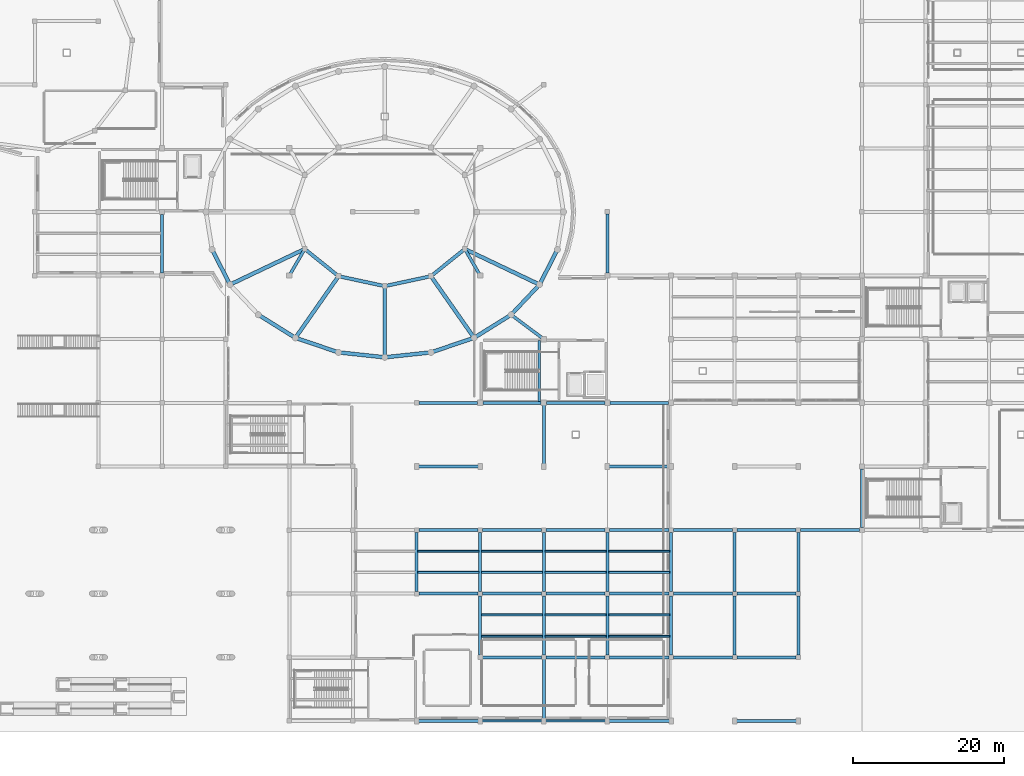
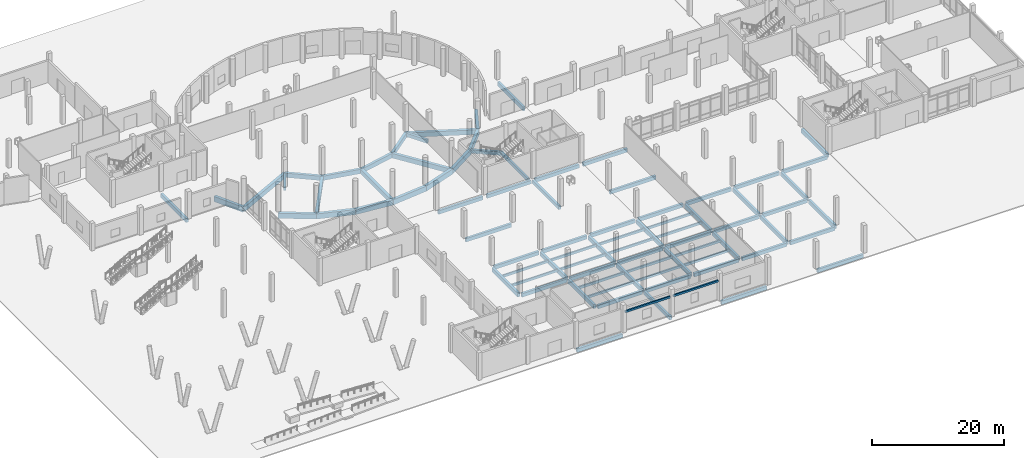
# One storey, part 6 of 64: 83 beams.
"""IFC4 building model written with IfcOpenShell, lengths in metres."""

from ifc_helpers import new_model, si_unit, derived_unit, direction, frame, origin, origin_2d, place, context, subcontext, project, spatial, rectangle, extrude, material, material_profile, profile_set, type_object, element, save


model = new_model("IFC4")

# Units and contexts
model_context = context("Model", 3, precision=1e-05, world=origin(), true_north=direction((0.0, 1.0)))
body_context = subcontext(model_context, "Body", "Model", "MODEL_VIEW")
ifc_project = project(units=[si_unit("LENGTHUNIT", "METRE"), si_unit("AREAUNIT", "SQUARE_METRE"), si_unit("VOLUMEUNIT", "CUBIC_METRE"), si_unit("PLANEANGLEUNIT", "RADIAN"), si_unit("MASSUNIT", "GRAM", prefix="KILO"), derived_unit("THERMALTRANSMITTANCEUNIT", [(si_unit("POWERUNIT", "WATT"), 1), (si_unit("LENGTHUNIT", "METRE"), -2), (si_unit("THERMODYNAMICTEMPERATUREUNIT", "KELVIN"), -1)])], contexts=[model_context])

# Site, building, storey
site_placement = place(None, origin())
site = spatial("IfcSite", under=ifc_project, at=site_placement, CompositionType="ELEMENT")
building_placement = place(site_placement, origin())
building = spatial("IfcBuilding", under=site, at=building_placement, Name="Elbkamm Science Centre", CompositionType="ELEMENT")
storey_placement = place(building_placement, origin())
storey = spatial("IfcBuildingStorey", under=building, at=storey_placement, Name="L00", CompositionType="ELEMENT", Elevation=0.0)

# Beams
ifc_material = material(Name="Concrete C40/50", Category="concrete")
ifc_material_profile_1 = material_profile(ifc_material, rectangle(XDim=0.35009765625, YDim=0.60009765625, at=origin_2d()), Name="RC 350x600")
ifc_profile_set_1 = profile_set([ifc_material_profile_1], Name="Concrete C40/50")
beam_type_1 = type_object("IfcBeamType", Name="BM-RC-350x600", PredefinedType="BEAM", material=ifc_profile_set_1)
beam_1_placement = place(storey_placement, frame((83.3798828125, 42.14990234375, -0.300048828125), z_axis=(0.0, 1.0, 0.0), x_axis=(-1.0, 0.0, 0.0)))
element("IfcBeam", 1, at=beam_1_placement, inside=storey, type_object=beam_type_1, Name="L00 ST-C2 Landing Trimmer Beam", PredefinedType="BEAM", context=body_context, shape_type="SweptSolid", body=[
    extrude(rectangle(XDim=0.35009765625, YDim=0.60009765625, at=origin_2d()), origin(), (0.0, 0.0, 1.0), 8.10009765625),
])
ifc_material_profile_2 = material_profile(ifc_material, rectangle(XDim=0.39990234375, YDim=0.64990234375, at=origin_2d()), Name="RC 400x650")
ifc_profile_set_2 = profile_set([ifc_material_profile_2], Name="Concrete C40/50")
beam_type_2 = type_object("IfcBeamType", Name="BM-RC-400x650", PredefinedType="BEAM", material=ifc_profile_set_2)
for number, where, z_axis, x_axis, name in (
    (2, (75.89990234375, 8.39990234375, -0.625), (1.0, 0.0, 0.0), (0.0, 1.0, 0.0), "L00 Primary X-Girder 003"),
    (3, (84.300048828125, 8.39990234375, -0.625), (1.0, 0.0, 0.0), (0.0, 1.0, 0.0), "L00 Primary X-Girder 004"),
    (4, (92.699951171875, 8.39990234375, -0.625), (1.0, 0.0, 0.0), (0.0, 1.0, 0.0), "L00 Primary X-Girder 005"),
):
    element("IfcBeam", number, at=place(storey_placement, frame(where, z_axis=z_axis, x_axis=x_axis)), inside=storey, type_object=beam_type_2, Name=name, PredefinedType="BEAM", context=body_context, shape_type="SweptSolid", body=[
        extrude(rectangle(XDim=0.39990234375, YDim=0.64990234375, at=origin_2d()), origin(), (0.0, 0.0, 1.0), 7.800048828125),
    ])
beam_2_placement = place(storey_placement, frame((101.10009765625, 8.39990234375, -0.625), z_axis=(1.0, 0.0, 0.0), x_axis=(0.0, 1.0, 0.0)))
element("IfcBeam", 5, at=beam_2_placement, inside=storey, type_object=beam_type_2, Name="L00 Primary X-Girder 006", PredefinedType="BEAM", context=body_context, shape_type="SweptSolid", body=[
    extrude(rectangle(XDim=0.39990234375, YDim=0.64990234375, at=origin_2d()), origin(), (0.0, 0.0, 1.0), 7.7998046875),
])
for number, where, z_axis, x_axis, name in (
    (6, (109.5, 8.39990234375, -0.625), (1.0, 0.0, 0.0), (0.0, 1.0, 0.0), "L00 Primary X-Girder 007"),
    (7, (67.5, 16.800048828125, -0.625), (1.0, 0.0, 0.0), (0.0, 1.0, 0.0), "L00 Primary X-Girder 010"),
    (8, (75.89990234375, 16.800048828125, -0.625), (1.0, 0.0, 0.0), (0.0, 1.0, 0.0), "L00 Primary X-Girder 011"),
    (9, (84.300048828125, 16.800048828125, -0.625), (1.0, 0.0, 0.0), (0.0, 1.0, 0.0), "L00 Primary X-Girder 012"),
    (10, (92.699951171875, 16.800048828125, -0.625), (1.0, 0.0, 0.0), (0.0, 1.0, 0.0), "L00 Primary X-Girder 013"),
):
    element("IfcBeam", number, at=place(storey_placement, frame(where, z_axis=z_axis, x_axis=x_axis)), inside=storey, type_object=beam_type_2, Name=name, PredefinedType="BEAM", context=body_context, shape_type="SweptSolid", body=[
        extrude(rectangle(XDim=0.39990234375, YDim=0.64990234375, at=origin_2d()), origin(), (0.0, 0.0, 1.0), 7.800048828125),
    ])
beam_3_placement = place(storey_placement, frame((101.10009765625, 16.800048828125, -0.625), z_axis=(1.0, 0.0, 0.0), x_axis=(0.0, 1.0, 0.0)))
element("IfcBeam", 11, at=beam_3_placement, inside=storey, type_object=beam_type_2, Name="L00 Primary X-Girder 014", PredefinedType="BEAM", context=body_context, shape_type="SweptSolid", body=[
    extrude(rectangle(XDim=0.39990234375, YDim=0.64990234375, at=origin_2d()), origin(), (0.0, 0.0, 1.0), 7.7998046875),
])
for number, where, z_axis, x_axis, name in (
    (12, (109.5, 16.800048828125, -0.625), (1.0, 0.0, 0.0), (0.0, 1.0, 0.0), "L00 Primary X-Girder 015"),
    (13, (67.5, 25.199951171875, -0.625), (1.0, 0.0, 0.0), (0.0, 1.0, 0.0), "L00 Primary X-Girder 018"),
    (14, (75.89990234375, 25.199951171875, -0.625), (1.0, 0.0, 0.0), (0.0, 1.0, 0.0), "L00 Primary X-Girder 019"),
    (15, (84.300048828125, 25.199951171875, -0.625), (1.0, 0.0, 0.0), (0.0, 1.0, 0.0), "L00 Primary X-Girder 020"),
    (16, (92.699951171875, 25.199951171875, -0.625), (1.0, 0.0, 0.0), (0.0, 1.0, 0.0), "L00 Primary X-Girder 021"),
):
    element("IfcBeam", number, at=place(storey_placement, frame(where, z_axis=z_axis, x_axis=x_axis)), inside=storey, type_object=beam_type_2, Name=name, PredefinedType="BEAM", context=body_context, shape_type="SweptSolid", body=[
        extrude(rectangle(XDim=0.39990234375, YDim=0.64990234375, at=origin_2d()), origin(), (0.0, 0.0, 1.0), 7.800048828125),
    ])
beam_4_placement = place(storey_placement, frame((101.10009765625, 25.199951171875, -0.625), z_axis=(1.0, 0.0, 0.0), x_axis=(0.0, 1.0, 0.0)))
element("IfcBeam", 17, at=beam_4_placement, inside=storey, type_object=beam_type_2, Name="L00 Primary X-Girder 022", PredefinedType="BEAM", context=body_context, shape_type="SweptSolid", body=[
    extrude(rectangle(XDim=0.39990234375, YDim=0.64990234375, at=origin_2d()), origin(), (0.0, 0.0, 1.0), 7.7998046875),
])
beam_5_placement = place(storey_placement, frame((109.5, 25.199951171875, -0.625), z_axis=(1.0, 0.0, 0.0), x_axis=(0.0, 1.0, 0.0)))
element("IfcBeam", 18, at=beam_5_placement, inside=storey, type_object=beam_type_2, Name="L00 Primary X-Girder 023", PredefinedType="BEAM", context=body_context, shape_type="SweptSolid", body=[
    extrude(rectangle(XDim=0.39990234375, YDim=0.64990234375, at=origin_2d()), origin(), (0.0, 0.0, 1.0), 7.800048828125),
])
for number, where, z_axis, x_axis, name in (
    (19, (117.89990234375, 25.199951171875, -0.625), (1.0, 0.0, 0.0), (0.0, 1.0, 0.0), "L00 Primary X-Girder 024"),
    (20, (67.5, 42.0, -0.625), (1.0, 0.0, 0.0), (0.0, 1.0, 0.0), "L00 Primary X-Girder 038"),
):
    element("IfcBeam", number, at=place(storey_placement, frame(where, z_axis=z_axis, x_axis=x_axis)), inside=storey, type_object=beam_type_2, Name=name, PredefinedType="BEAM", context=body_context, shape_type="SweptSolid", body=[
        extrude(rectangle(XDim=0.39990234375, YDim=0.64990234375, at=origin_2d()), origin(), (0.0, 0.0, 1.0), 7.75),
    ])
for number, where, z_axis, x_axis, name in (
    (21, (75.949951171875, 42.0, -0.625), (1.0, 0.0, 0.0), (0.0, 1.0, 0.0), "L00 Primary X-Girder 039"),
    (22, (84.35009765625, 42.0, -0.625), (1.0, 0.0, 0.0), (0.0, 1.0, 0.0), "L00 Primary X-Girder 040"),
    (23, (92.75, 42.0, -0.625), (1.0, 0.0, 0.0), (0.0, 1.0, 0.0), "L00 Primary X-Girder 041"),
):
    element("IfcBeam", number, at=place(storey_placement, frame(where, z_axis=z_axis, x_axis=x_axis)), inside=storey, type_object=beam_type_2, Name=name, PredefinedType="BEAM", context=body_context, shape_type="SweptSolid", body=[
        extrude(rectangle(XDim=0.39990234375, YDim=0.64990234375, at=origin_2d()), origin(), (0.0, 0.0, 1.0), 7.699951171875),
    ])
for number, where, z_axis, x_axis, name in (
    (24, (67.419921875, 0.0, -0.625), (1.0, 0.0, 0.0), (0.0, 1.0, 0.0), "L00 Perimeter Ring Tie Girder 001"),
    (25, (67.419921875, 33.60009765625, -0.625), (1.0, 0.0, 0.0), (0.0, 1.0, 0.0), "L00 Perimeter Ring Tie Girder 002"),
    (26, (84.0, 0.219970703125, -0.625), (0.0, 1.0, 0.0), (-1.0, 0.0, 0.0), "L00 Perimeter Ring Tie Girder 003"),
    (27, (84.0, 33.820068359375, -0.625), (0.0, 1.0, 0.0), (-1.0, 0.0, 0.0), "L00 Perimeter Ring Tie Girder 004"),
    (28, (92.6201171875, 0.0, -0.625), (1.0, 0.0, 0.0), (0.0, 1.0, 0.0), "L00 Perimeter Ring Tie Girder 005"),
    (29, (92.6201171875, 33.60009765625, -0.625), (1.0, 0.0, 0.0), (0.0, 1.0, 0.0), "L00 Perimeter Ring Tie Girder 006"),
    (30, (109.419921875, 0.0, -0.625), (1.0, 0.0, 0.0), (0.0, 1.0, 0.0), "L00 Perimeter Ring Tie Girder 007"),
):
    element("IfcBeam", number, at=place(storey_placement, frame(where, z_axis=z_axis, x_axis=x_axis)), inside=storey, type_object=beam_type_2, Name=name, PredefinedType="BEAM", context=body_context, shape_type="SweptSolid", body=[
        extrude(rectangle(XDim=0.39990234375, YDim=0.64990234375, at=origin_2d()), origin(), (0.0, 0.0, 1.0), 7.9599609375),
    ])
for number, where, z_axis, x_axis, name in (
    (31, (50.510498046875, 58.990234375, -0.625), (0.502465212806, 0.864597426506, 0.0), (-0.864597426506, 0.502465212806, 0.0), "L00 Perimeter Ring Tie Girder 010"),
    (32, (75.489501953125, 58.990234375, -0.625), (-0.502465212806, 0.864597426506, 0.0), (-0.864597426506, -0.502465212806, 0.0), "L00 Perimeter Ring Tie Girder 012"),
):
    element("IfcBeam", number, at=place(storey_placement, frame(where, z_axis=z_axis, x_axis=x_axis)), inside=storey, type_object=beam_type_2, Name=name, PredefinedType="BEAM", context=body_context, shape_type="SweptSolid", body=[
        extrude(rectangle(XDim=0.39990234375, YDim=0.64990234375, at=origin_2d()), origin(), (0.0, 0.0, 1.0), 3.608154296875),
    ])
beam_6_placement = place(storey_placement, frame((83.82373046875, 50.53173828125, -0.625), z_axis=(-0.80088801, 0.59881415768, 0.0), x_axis=(-0.59881415768, -0.80088801, 0.0)))
element("IfcBeam", 33, at=beam_6_placement, inside=storey, type_object=beam_type_2, Name="L00 Perimeter Ring Tie Girder 014", PredefinedType="BEAM", context=body_context, shape_type="SweptSolid", body=[
    extrude(rectangle(XDim=0.39990234375, YDim=0.64990234375, at=origin_2d()), origin(), (0.0, 0.0, 1.0), 4.94384765625),
])
ifc_material_profile_3 = material_profile(ifc_material, rectangle(XDim=0.39990234375, YDim=0.75, at=origin_2d()), Name="RC 400x750")
ifc_profile_set_3 = profile_set([ifc_material_profile_3], Name="Concrete C40/50")
beam_type_3 = type_object("IfcBeamType", Name="BM-RC-400x750", PredefinedType="BEAM", material=ifc_profile_set_3)
beam_7_placement = place(storey_placement, frame((33.60009765625, 59.14990234375, -0.675048828125), z_axis=(0.0, 1.0, 0.0), x_axis=(-1.0, 0.0, 0.0)))
element("IfcBeam", 34, at=beam_7_placement, inside=storey, type_object=beam_type_3, Name="L00 Primary Y-Girder 013", PredefinedType="BEAM", context=body_context, shape_type="SweptSolid", body=[
    extrude(rectangle(XDim=0.39990234375, YDim=0.75, at=origin_2d()), origin(), (0.0, 0.0, 1.0), 7.7001953125),
])
beam_8_placement = place(storey_placement, frame((67.199951171875, 17.10009765625, -0.675048828125), z_axis=(0.0, 1.0, 0.0), x_axis=(-1.0, 0.0, 0.0)))
element("IfcBeam", 35, at=beam_8_placement, inside=storey, type_object=beam_type_3, Name="L00 Primary Y-Girder 026", PredefinedType="BEAM", context=body_context, shape_type="SweptSolid", body=[
    extrude(rectangle(XDim=0.39990234375, YDim=0.75, at=origin_2d()), origin(), (0.0, 0.0, 1.0), 7.7998046875),
])
beam_9_placement = place(storey_placement, frame((75.60009765625, 8.699951171875, -0.675048828125), z_axis=(0.0, 1.0, 0.0), x_axis=(-1.0, 0.0, 0.0)))
element("IfcBeam", 36, at=beam_9_placement, inside=storey, type_object=beam_type_3, Name="L00 Primary Y-Girder 027", PredefinedType="BEAM", context=body_context, shape_type="SweptSolid", body=[
    extrude(rectangle(XDim=0.39990234375, YDim=0.75, at=origin_2d()), origin(), (0.0, 0.0, 1.0), 7.800048828125),
])
beam_10_placement = place(storey_placement, frame((75.60009765625, 17.10009765625, -0.675048828125), z_axis=(0.0, 1.0, 0.0), x_axis=(-1.0, 0.0, 0.0)))
element("IfcBeam", 37, at=beam_10_placement, inside=storey, type_object=beam_type_3, Name="L00 Primary Y-Girder 028", PredefinedType="BEAM", context=body_context, shape_type="SweptSolid", body=[
    extrude(rectangle(XDim=0.39990234375, YDim=0.75, at=origin_2d()), origin(), (0.0, 0.0, 1.0), 7.7998046875),
])
beam_11_placement = place(storey_placement, frame((84.0, 8.699951171875, -0.675048828125), z_axis=(0.0, 1.0, 0.0), x_axis=(-1.0, 0.0, 0.0)))
element("IfcBeam", 38, at=beam_11_placement, inside=storey, type_object=beam_type_3, Name="L00 Primary Y-Girder 029", PredefinedType="BEAM", context=body_context, shape_type="SweptSolid", body=[
    extrude(rectangle(XDim=0.39990234375, YDim=0.75, at=origin_2d()), origin(), (0.0, 0.0, 1.0), 7.800048828125),
])
beam_12_placement = place(storey_placement, frame((84.0, 17.10009765625, -0.675048828125), z_axis=(0.0, 1.0, 0.0), x_axis=(-1.0, 0.0, 0.0)))
element("IfcBeam", 39, at=beam_12_placement, inside=storey, type_object=beam_type_3, Name="L00 Primary Y-Girder 030", PredefinedType="BEAM", context=body_context, shape_type="SweptSolid", body=[
    extrude(rectangle(XDim=0.39990234375, YDim=0.75, at=origin_2d()), origin(), (0.0, 0.0, 1.0), 7.7998046875),
])
beam_13_placement = place(storey_placement, frame((92.39990234375, 8.699951171875, -0.675048828125), z_axis=(0.0, 1.0, 0.0), x_axis=(-1.0, 0.0, 0.0)))
element("IfcBeam", 40, at=beam_13_placement, inside=storey, type_object=beam_type_3, Name="L00 Primary Y-Girder 031", PredefinedType="BEAM", context=body_context, shape_type="SweptSolid", body=[
    extrude(rectangle(XDim=0.39990234375, YDim=0.75, at=origin_2d()), origin(), (0.0, 0.0, 1.0), 7.800048828125),
])
beam_14_placement = place(storey_placement, frame((92.39990234375, 17.10009765625, -0.675048828125), z_axis=(0.0, 1.0, 0.0), x_axis=(-1.0, 0.0, 0.0)))
element("IfcBeam", 41, at=beam_14_placement, inside=storey, type_object=beam_type_3, Name="L00 Primary Y-Girder 032", PredefinedType="BEAM", context=body_context, shape_type="SweptSolid", body=[
    extrude(rectangle(XDim=0.39990234375, YDim=0.75, at=origin_2d()), origin(), (0.0, 0.0, 1.0), 7.7998046875),
])
beam_15_placement = place(storey_placement, frame((92.39990234375, 59.14990234375, -0.675048828125), z_axis=(0.0, 1.0, 0.0), x_axis=(-1.0, 0.0, 0.0)))
element("IfcBeam", 42, at=beam_15_placement, inside=storey, type_object=beam_type_3, Name="L00 Primary Y-Girder 033", PredefinedType="BEAM", context=body_context, shape_type="SweptSolid", body=[
    extrude(rectangle(XDim=0.39990234375, YDim=0.75, at=origin_2d()), origin(), (0.0, 0.0, 1.0), 7.75),
])
beam_16_placement = place(storey_placement, frame((100.800048828125, 8.699951171875, -0.675048828125), z_axis=(0.0, 1.0, 0.0), x_axis=(-1.0, 0.0, 0.0)))
element("IfcBeam", 43, at=beam_16_placement, inside=storey, type_object=beam_type_3, Name="L00 Primary Y-Girder 034", PredefinedType="BEAM", context=body_context, shape_type="SweptSolid", body=[
    extrude(rectangle(XDim=0.39990234375, YDim=0.75, at=origin_2d()), origin(), (0.0, 0.0, 1.0), 7.800048828125),
])
beam_17_placement = place(storey_placement, frame((100.800048828125, 17.10009765625, -0.675048828125), z_axis=(0.0, 1.0, 0.0), x_axis=(-1.0, 0.0, 0.0)))
element("IfcBeam", 44, at=beam_17_placement, inside=storey, type_object=beam_type_3, Name="L00 Primary Y-Girder 035", PredefinedType="BEAM", context=body_context, shape_type="SweptSolid", body=[
    extrude(rectangle(XDim=0.39990234375, YDim=0.75, at=origin_2d()), origin(), (0.0, 0.0, 1.0), 7.7998046875),
])
beam_18_placement = place(storey_placement, frame((109.199951171875, 8.699951171875, -0.675048828125), z_axis=(0.0, 1.0, 0.0), x_axis=(-1.0, 0.0, 0.0)))
element("IfcBeam", 45, at=beam_18_placement, inside=storey, type_object=beam_type_3, Name="L00 Primary Y-Girder 038", PredefinedType="BEAM", context=body_context, shape_type="SweptSolid", body=[
    extrude(rectangle(XDim=0.39990234375, YDim=0.75, at=origin_2d()), origin(), (0.0, 0.0, 1.0), 7.800048828125),
])
beam_19_placement = place(storey_placement, frame((109.199951171875, 17.10009765625, -0.675048828125), z_axis=(0.0, 1.0, 0.0), x_axis=(-1.0, 0.0, 0.0)))
element("IfcBeam", 46, at=beam_19_placement, inside=storey, type_object=beam_type_3, Name="L00 Primary Y-Girder 039", PredefinedType="BEAM", context=body_context, shape_type="SweptSolid", body=[
    extrude(rectangle(XDim=0.39990234375, YDim=0.75, at=origin_2d()), origin(), (0.0, 0.0, 1.0), 7.7998046875),
])
beam_20_placement = place(storey_placement, frame((117.60009765625, 8.699951171875, -0.675048828125), z_axis=(0.0, 1.0, 0.0), x_axis=(-1.0, 0.0, 0.0)))
element("IfcBeam", 47, at=beam_20_placement, inside=storey, type_object=beam_type_3, Name="L00 Primary Y-Girder 042", PredefinedType="BEAM", context=body_context, shape_type="SweptSolid", body=[
    extrude(rectangle(XDim=0.39990234375, YDim=0.75, at=origin_2d()), origin(), (0.0, 0.0, 1.0), 7.800048828125),
])
beam_21_placement = place(storey_placement, frame((117.60009765625, 17.10009765625, -0.675048828125), z_axis=(0.0, 1.0, 0.0), x_axis=(-1.0, 0.0, 0.0)))
element("IfcBeam", 48, at=beam_21_placement, inside=storey, type_object=beam_type_3, Name="L00 Primary Y-Girder 043", PredefinedType="BEAM", context=body_context, shape_type="SweptSolid", body=[
    extrude(rectangle(XDim=0.39990234375, YDim=0.75, at=origin_2d()), origin(), (0.0, 0.0, 1.0), 7.7998046875),
])
beam_22_placement = place(storey_placement, frame((126.0, 25.550048828125, -0.675048828125), z_axis=(0.0, 1.0, 0.0), x_axis=(-1.0, 0.0, 0.0)))
element("IfcBeam", 49, at=beam_22_placement, inside=storey, type_object=beam_type_3, Name="L00 Primary Y-Girder 046", PredefinedType="BEAM", context=body_context, shape_type="SweptSolid", body=[
    extrude(rectangle(XDim=0.39990234375, YDim=0.75, at=origin_2d()), origin(), (0.0, 0.0, 1.0), 7.699951171875),
])
ifc_material_profile_4 = material_profile(ifc_material, rectangle(XDim=0.449951171875, YDim=0.800048828125, at=origin_2d()), Name="RC 450x800")
ifc_profile_set_4 = profile_set([ifc_material_profile_4], Name="Concrete C40/50")
beam_type_4 = type_object("IfcBeamType", Name="BM-RC-450x800", PredefinedType="BEAM", material=ifc_profile_set_4)
beam_23_placement = place(storey_placement, frame((52.43408203125, 62.300048828125, -0.699951171875), z_axis=(0.779632299843, -0.626237556396, 0.0), x_axis=(0.626237556396, 0.779632299843, 0.0)))
element("IfcBeam", 50, at=beam_23_placement, inside=storey, type_object=beam_type_4, Name="L00 Atrium Ring Girder 08", PredefinedType="BEAM", context=body_context, shape_type="SweptSolid", body=[
    extrude(rectangle(XDim=0.449951171875, YDim=0.800048828125, at=origin_2d()), origin(), (0.0, 0.0, 1.0), 5.72802734375),
])
for number, where, z_axis, x_axis, name in (
    (51, (56.89990234375, 58.712890625, -0.699951171875), (0.97761076487, -0.210421463759, 0.0), (0.210421463759, 0.97761076487, 0.0), "L00 Atrium Ring Girder 09"),
    (52, (63.0, 57.39990234375, -0.699951171875), (0.97761076487, 0.210421463759, 0.0), (-0.210421463759, 0.97761076487, 0.0), "L00 Atrium Ring Girder 10"),
):
    element("IfcBeam", number, at=place(storey_placement, frame(where, z_axis=z_axis, x_axis=x_axis)), inside=storey, type_object=beam_type_4, Name=name, PredefinedType="BEAM", context=body_context, shape_type="SweptSolid", body=[
        extrude(rectangle(XDim=0.449951171875, YDim=0.800048828125, at=origin_2d()), origin(), (0.0, 0.0, 1.0), 6.23974609375),
    ])
beam_24_placement = place(storey_placement, frame((69.10009765625, 58.712890625, -0.699951171875), z_axis=(0.779632299843, 0.626237556396, 0.0), x_axis=(-0.626237556396, 0.779632299843, 0.0)))
element("IfcBeam", 53, at=beam_24_placement, inside=storey, type_object=beam_type_4, Name="L00 Atrium Ring Girder 11", PredefinedType="BEAM", context=body_context, shape_type="SweptSolid", body=[
    extrude(rectangle(XDim=0.449951171875, YDim=0.800048828125, at=origin_2d()), origin(), (0.0, 0.0, 1.0), 5.72802734375),
])
ifc_material_profile_5 = material_profile(ifc_material, rectangle(XDim=0.5, YDim=0.85009765625, at=origin_2d()), Name="RC 500x850")
ifc_profile_set_5 = profile_set([ifc_material_profile_5], Name="Concrete C40/50")
beam_type_5 = type_object("IfcBeamType", Name="BM-RC-500x850", PredefinedType="BEAM", material=ifc_profile_set_5)
beam_25_placement = place(storey_placement, frame((52.43408203125, 62.300048828125, -0.72509765625), z_axis=(-0.902897249077, -0.429856438371, 0.0), x_axis=(0.429856438371, -0.902897249077, 0.0)))
element("IfcBeam", 54, at=beam_25_placement, inside=storey, type_object=beam_type_5, Name="L00 Elliptical Radial Girder 08", PredefinedType="BEAM", context=body_context, shape_type="SweptSolid", body=[
    extrude(rectangle(XDim=0.5, YDim=0.85009765625, at=origin_2d()), origin(), (0.0, 0.0, 1.0), 10.933837890625),
])
beam_26_placement = place(storey_placement, frame((56.89990234375, 58.712890625, -0.72509765625), z_axis=(-0.573553022395, -0.819168438419, 0.0), x_axis=(0.819168438419, -0.573553022395, 0.0)))
element("IfcBeam", 55, at=beam_26_placement, inside=storey, type_object=beam_type_5, Name="L00 Elliptical Radial Girder 09", PredefinedType="BEAM", context=body_context, shape_type="SweptSolid", body=[
    extrude(rectangle(XDim=0.5, YDim=0.85009765625, at=origin_2d()), origin(), (0.0, 0.0, 1.0), 9.93798828125),
])
beam_27_placement = place(storey_placement, frame((63.0, 57.39990234375, -0.72509765625), z_axis=(0.0, -1.0, 0.0), x_axis=(1.0, 0.0, 0.0)))
element("IfcBeam", 56, at=beam_27_placement, inside=storey, type_object=beam_type_5, Name="L00 Elliptical Radial Girder 10", PredefinedType="BEAM", context=body_context, shape_type="SweptSolid", body=[
    extrude(rectangle(XDim=0.5, YDim=0.85009765625, at=origin_2d()), origin(), (0.0, 0.0, 1.0), 9.39990234375),
])
beam_28_placement = place(storey_placement, frame((69.10009765625, 58.712890625, -0.72509765625), z_axis=(0.573553022395, -0.819168438419, 0.0), x_axis=(0.819168438419, 0.573553022395, 0.0)))
element("IfcBeam", 57, at=beam_28_placement, inside=storey, type_object=beam_type_5, Name="L00 Elliptical Radial Girder 11", PredefinedType="BEAM", context=body_context, shape_type="SweptSolid", body=[
    extrude(rectangle(XDim=0.5, YDim=0.85009765625, at=origin_2d()), origin(), (0.0, 0.0, 1.0), 9.93798828125),
])
beam_29_placement = place(storey_placement, frame((73.56591796875, 62.300048828125, -0.72509765625), z_axis=(0.902897249077, -0.429856438371, 0.0), x_axis=(0.429856438371, 0.902897249077, 0.0)))
element("IfcBeam", 58, at=beam_29_placement, inside=storey, type_object=beam_type_5, Name="L00 Elliptical Radial Girder 12", PredefinedType="BEAM", context=body_context, shape_type="SweptSolid", body=[
    extrude(rectangle(XDim=0.5, YDim=0.85009765625, at=origin_2d()), origin(), (0.0, 0.0, 1.0), 10.933837890625),
])
ifc_material_profile_6 = material_profile(ifc_material, rectangle(XDim=0.5, YDim=0.949951171875, at=origin_2d()), Name="RC 500x950")
ifc_profile_set_6 = profile_set([ifc_material_profile_6], Name="Concrete C40/50")
beam_type_6 = type_object("IfcBeamType", Name="BM-RC-500x950", PredefinedType="BEAM", material=ifc_profile_set_6)
beam_30_placement = place(storey_placement, frame((40.2041015625, 62.23095703125, -0.77490234375), z_axis=(0.45374138036, -0.891133412991, 0.0), x_axis=(0.891133412991, 0.45374138036, 0.0)))
element("IfcBeam", 59, at=beam_30_placement, inside=storey, type_object=beam_type_6, Name="L00 Elliptical Shell Perimeter Ring Beam 14", PredefinedType="SPANDREL", context=body_context, shape_type="SweptSolid", body=[
    extrude(rectangle(XDim=0.5, YDim=0.949951171875, at=origin_2d()), origin(), (0.0, 0.0, 1.0), 5.196533203125),
])
beam_31_placement = place(storey_placement, frame((46.31201171875, 53.6240234375, -0.77490234375), z_axis=(0.848229099729, -0.529629487824, 0.0), x_axis=(0.529629487824, 0.848229099729, 0.0)))
element("IfcBeam", 60, at=beam_31_placement, inside=storey, type_object=beam_type_6, Name="L00 Elliptical Shell Perimeter Ring Beam 16", PredefinedType="SPANDREL", context=body_context, shape_type="SweptSolid", body=[
    extrude(rectangle(XDim=0.5, YDim=0.949951171875, at=origin_2d()), origin(), (0.0, 0.0, 1.0), 5.762451171875),
])
beam_32_placement = place(storey_placement, frame((51.199951171875, 50.572021484375, -0.77490234375), z_axis=(0.947649950761, -0.319311087848, 0.0), x_axis=(0.319311087848, 0.947649950761, 0.0)))
element("IfcBeam", 61, at=beam_32_placement, inside=storey, type_object=beam_type_6, Name="L00 Elliptical Shell Perimeter Ring Beam 17", PredefinedType="SPANDREL", context=body_context, shape_type="SweptSolid", body=[
    extrude(rectangle(XDim=0.5, YDim=0.949951171875, at=origin_2d()), origin(), (0.0, 0.0, 1.0), 6.006591796875),
])
for number, where, z_axis, x_axis, name in (
    (62, (56.89208984375, 48.654052734375, -0.77490234375), (0.994315467109, -0.106474184043, 0.0), (0.106474184043, 0.994315467109, 0.0), "L00 Elliptical Shell Perimeter Ring Beam 18"),
    (63, (63.0, 48.0, -0.77490234375), (0.994315467109, 0.106474184043, 0.0), (-0.106474184043, 0.994315467109, 0.0), "L00 Elliptical Shell Perimeter Ring Beam 19"),
):
    element("IfcBeam", number, at=place(storey_placement, frame(where, z_axis=z_axis, x_axis=x_axis)), inside=storey, type_object=beam_type_6, Name=name, PredefinedType="SPANDREL", context=body_context, shape_type="SweptSolid", body=[
        extrude(rectangle(XDim=0.5, YDim=0.949951171875, at=origin_2d()), origin(), (0.0, 0.0, 1.0), 6.142822265625),
    ])
beam_33_placement = place(storey_placement, frame((69.10791015625, 48.654052734375, -0.77490234375), z_axis=(0.947649950761, 0.319311087848, 0.0), x_axis=(-0.319311087848, 0.947649950761, 0.0)))
element("IfcBeam", 64, at=beam_33_placement, inside=storey, type_object=beam_type_6, Name="L00 Elliptical Shell Perimeter Ring Beam 20", PredefinedType="SPANDREL", context=body_context, shape_type="SweptSolid", body=[
    extrude(rectangle(XDim=0.5, YDim=0.949951171875, at=origin_2d()), origin(), (0.0, 0.0, 1.0), 6.006591796875),
])
beam_34_placement = place(storey_placement, frame((74.800048828125, 50.572021484375, -0.77490234375), z_axis=(0.848229099729, 0.529629487824, 0.0), x_axis=(-0.529629487824, 0.848229099729, 0.0)))
element("IfcBeam", 65, at=beam_34_placement, inside=storey, type_object=beam_type_6, Name="L00 Elliptical Shell Perimeter Ring Beam 21", PredefinedType="SPANDREL", context=body_context, shape_type="SweptSolid", body=[
    extrude(rectangle(XDim=0.5, YDim=0.949951171875, at=origin_2d()), origin(), (0.0, 0.0, 1.0), 5.762451171875),
])
beam_35_placement = place(storey_placement, frame((79.68798828125, 53.6240234375, -0.77490234375), z_axis=(0.686122314522, 0.727486198848, 0.0), x_axis=(-0.727486198848, 0.686122314522, 0.0)))
element("IfcBeam", 66, at=beam_35_placement, inside=storey, type_object=beam_type_6, Name="L00 Elliptical Shell Perimeter Ring Beam 22", PredefinedType="SPANDREL", context=body_context, shape_type="SweptSolid", body=[
    extrude(rectangle(XDim=0.5, YDim=0.949951171875, at=origin_2d()), origin(), (0.0, 0.0, 1.0), 5.465576171875),
])
beam_36_placement = place(storey_placement, frame((83.43798828125, 57.60009765625, -0.77490234375), z_axis=(0.45374138036, 0.891133412991, 0.0), x_axis=(-0.891133412991, 0.45374138036, 0.0)))
element("IfcBeam", 67, at=beam_36_placement, inside=storey, type_object=beam_type_6, Name="L00 Elliptical Shell Perimeter Ring Beam 23", PredefinedType="SPANDREL", context=body_context, shape_type="SweptSolid", body=[
    extrude(rectangle(XDim=0.5, YDim=0.949951171875, at=origin_2d()), origin(), (0.0, 0.0, 1.0), 5.196533203125),
])
ifc_material_profile_7 = material_profile(ifc_material, rectangle(XDim=0.25, YDim=0.449951171875, at=origin_2d()), Name="RC 250x450")
ifc_profile_set_7 = profile_set([ifc_material_profile_7], Name="Concrete C40/50")
beam_type_7 = type_object("IfcBeamType", Name="JST-RC-250x450", PredefinedType="JOIST", material=ifc_profile_set_7)
for number, where, z_axis, x_axis, name in (
    (68, (67.3798828125, 19.60009765625, -0.52490234375), (1.0, 0.0, 0.0), (0.0, 1.0, 0.0), "L00 Secondary Floor Joist 011"),
    (69, (67.3798828125, 22.39990234375, -0.52490234375), (1.0, 0.0, 0.0), (0.0, 1.0, 0.0), "L00 Secondary Floor Joist 012"),
    (70, (75.780029296875, 11.199951171875, -0.52490234375), (1.0, 0.0, 0.0), (0.0, 1.0, 0.0), "L00 Secondary Floor Joist 013"),
    (71, (75.780029296875, 14.0, -0.52490234375), (1.0, 0.0, 0.0), (0.0, 1.0, 0.0), "L00 Secondary Floor Joist 014"),
    (72, (75.780029296875, 19.60009765625, -0.52490234375), (1.0, 0.0, 0.0), (0.0, 1.0, 0.0), "L00 Secondary Floor Joist 015"),
    (73, (75.780029296875, 22.39990234375, -0.52490234375), (1.0, 0.0, 0.0), (0.0, 1.0, 0.0), "L00 Secondary Floor Joist 016"),
    (74, (84.179931640625, 11.199951171875, -0.52490234375), (1.0, 0.0, 0.0), (0.0, 1.0, 0.0), "L00 Secondary Floor Joist 017"),
    (75, (84.179931640625, 14.0, -0.52490234375), (1.0, 0.0, 0.0), (0.0, 1.0, 0.0), "L00 Secondary Floor Joist 018"),
    (76, (84.179931640625, 19.60009765625, -0.52490234375), (1.0, 0.0, 0.0), (0.0, 1.0, 0.0), "L00 Secondary Floor Joist 019"),
    (77, (84.179931640625, 22.39990234375, -0.52490234375), (1.0, 0.0, 0.0), (0.0, 1.0, 0.0), "L00 Secondary Floor Joist 020"),
    (78, (92.580078125, 11.199951171875, -0.52490234375), (1.0, 0.0, 0.0), (0.0, 1.0, 0.0), "L00 Secondary Floor Joist 021"),
    (79, (92.580078125, 14.0, -0.52490234375), (1.0, 0.0, 0.0), (0.0, 1.0, 0.0), "L00 Secondary Floor Joist 022"),
    (80, (92.580078125, 19.60009765625, -0.52490234375), (1.0, 0.0, 0.0), (0.0, 1.0, 0.0), "L00 Secondary Floor Joist 023"),
    (81, (92.580078125, 22.39990234375, -0.52490234375), (1.0, 0.0, 0.0), (0.0, 1.0, 0.0), "L00 Secondary Floor Joist 024"),
):
    element("IfcBeam", number, at=place(storey_placement, frame(where, z_axis=z_axis, x_axis=x_axis)), inside=storey, type_object=beam_type_7, Name=name, PredefinedType="JOIST", context=body_context, shape_type="SweptSolid", body=[
        extrude(rectangle(XDim=0.25, YDim=0.449951171875, at=origin_2d()), origin(), (0.0, 0.0, 1.0), 8.0400390625),
    ])
ifc_material_profile_8 = material_profile(ifc_material, rectangle(XDim=0.25, YDim=0.35009765625, at=origin_2d()), Name="RC 250x350")
ifc_profile_set_8 = profile_set([ifc_material_profile_8], Name="Concrete C40/50")
beam_type_8 = type_object("IfcBeamType", Name="LIN-RC-250x350", PredefinedType="LINTEL", material=ifc_profile_set_8)
for number, where, z_axis, x_axis, name in (
    (82, (75.85009765625, 0.0, 3.550048828125), (1.0, 0.0, 0.0), (0.0, 1.0, 0.0), "L00 Opening Lintel 03"),
    (83, (84.25, 0.0, 3.550048828125), (1.0, 0.0, 0.0), (0.0, 1.0, 0.0), "L00 Opening Lintel 04"),
):
    element("IfcBeam", number, at=place(storey_placement, frame(where, z_axis=z_axis, x_axis=x_axis)), inside=storey, type_object=beam_type_8, Name=name, PredefinedType="LINTEL", context=body_context, shape_type="SweptSolid", body=[
        extrude(rectangle(XDim=0.25, YDim=0.35009765625, at=origin_2d()), origin(), (0.0, 0.0, 1.0), 7.89990234375),
    ])

save(model, "model.ifc")
